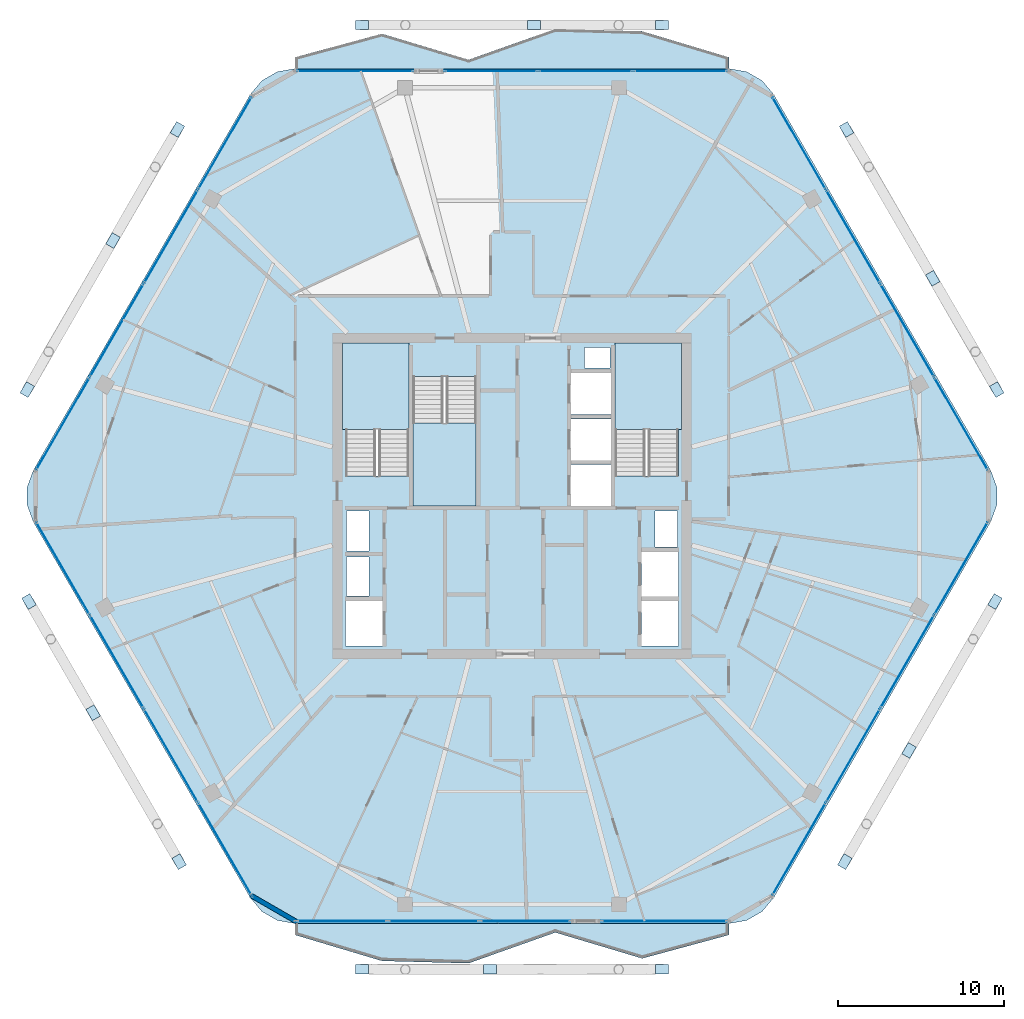
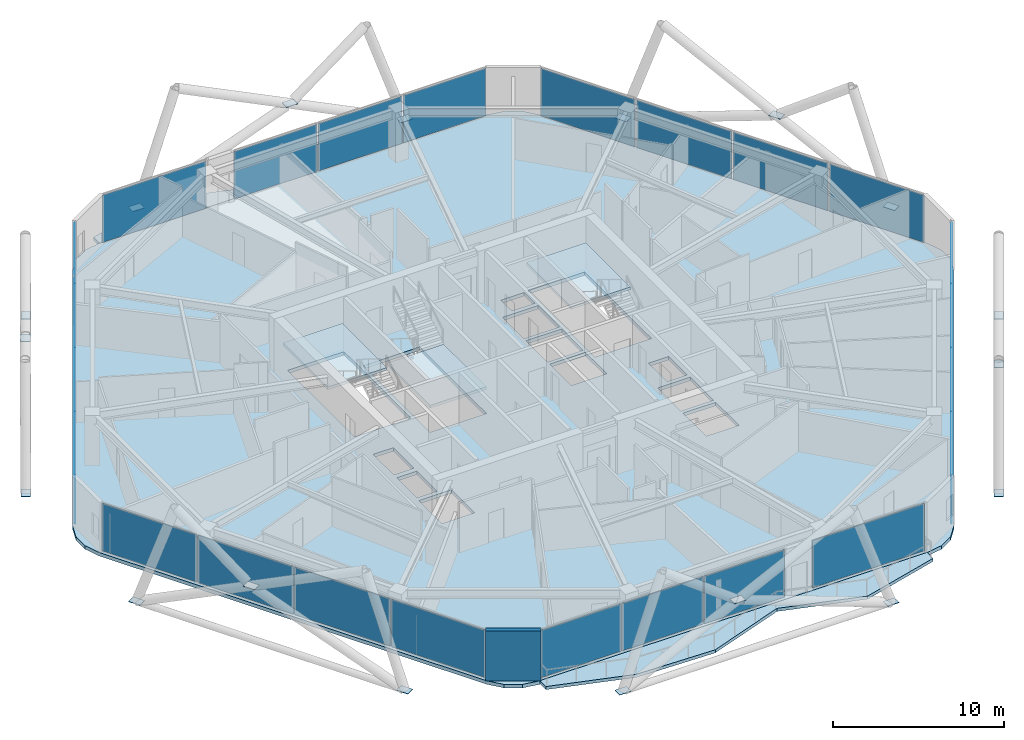
# One storey, part 19 of 26: 42 plates, 6 slabs, 1 wall, 11 elements without a shape of their own.
"""IFC4 building model written with IfcOpenShell, lengths in metres."""

from ifc_helpers import new_model, si_unit, direction, frame, frame_2d, origin, origin_2d, place, context, subcontext, project, spatial, polyline, rectangle, outline, extrude, material, layer, layer_set, type_object, element, aggregate, save


model = new_model("IFC4")

# Units and contexts
model_context = context("Model", 3, precision=1e-05, world=origin(), true_north=direction((0.0, 1.0)))
body_context = subcontext(model_context, "Body", "Model", "MODEL_VIEW")
ifc_project = project(units=[si_unit("LENGTHUNIT", "METRE"), si_unit("AREAUNIT", "SQUARE_METRE"), si_unit("VOLUMEUNIT", "CUBIC_METRE"), si_unit("PLANEANGLEUNIT", "RADIAN"), si_unit("MASSUNIT", "GRAM", prefix="KILO")], contexts=[model_context])

# Site, building, storey
site_placement = place(None, origin())
site = spatial("IfcSite", under=ifc_project, at=site_placement, CompositionType="ELEMENT")
building_placement = place(site_placement, origin())
building = spatial("IfcBuilding", under=site, at=building_placement, Name="Zuhravey Tower", CompositionType="ELEMENT")
storey_placement = place(building_placement, frame((0.0, 0.0, 231.199951171875)))
storey = spatial("IfcBuildingStorey", under=building, at=storey_placement, Name="L58", CompositionType="ELEMENT", Elevation=231.199951171875)

# Plates
ifc_material_1 = material(Name="Steel SM460", Category="steel")
ifc_layer_1 = layer(ifc_material_1, 0.031982421875)
ifc_layer_set_1 = layer_set([ifc_layer_1], Name="Steel SM460")
plate_type_1 = type_object("IfcPlateType", Name="Exoskeleton Zone 3 Node Plate ND3", PredefinedType="SHEET", material=ifc_layer_set_1)
for number, where, z_axis, x_axis, name in (
    (1, (65.1474609375, 38.402587890625, -0.47998046875), (0.0, 0.0, 1.0), (-0.5, 0.866025403784, 0.0), "L58 Exoskeleton Node Gusset L58-01"),
    (2, (56.118408203125, 54.041015625, -0.47998046875), (0.0, 0.0, 1.0), (-0.5, 0.866025403784, 0.0), "L58 Exoskeleton Node Gusset L58-02"),
    (3, (45.029052734375, 60.323486328125, -0.47998046875), (0.0, 0.0, 1.0), (-1.0, 0.0, 0.0), "L58 Exoskeleton Node Gusset L58-03"),
    (4, (26.970947265625, 60.323486328125, -0.47998046875), (0.0, 0.0, 1.0), (-1.0, 0.0, 0.0), "L58 Exoskeleton Node Gusset L58-04"),
    (5, (15.881591796875, 54.041015625, -0.47998046875), (0.0, 0.0, 1.0), (-0.5, -0.866025403784, 0.0), "L58 Exoskeleton Node Gusset L58-05"),
    (6, (6.8525390625, 38.402587890625, -0.47998046875), (0.0, 0.0, 1.0), (-0.5, -0.866025403784, 0.0), "L58 Exoskeleton Node Gusset L58-06"),
    (7, (6.95654296875, 25.657470703125, -0.47998046875), (0.0, 0.0, 1.0), (0.5, -0.866025403784, 0.0), "L58 Exoskeleton Node Gusset L58-07"),
    (8, (15.985595703125, 10.018798828125, -0.47998046875), (0.0, 0.0, 1.0), (0.5, -0.866025403784, 0.0), "L58 Exoskeleton Node Gusset L58-08"),
    (9, (26.970947265625, 3.556396484375, -0.47998046875), (0.0, 0.0, 1.0), (1.0, 0.0, 0.0), "L58 Exoskeleton Node Gusset L58-09"),
    (10, (45.029052734375, 3.556396484375, -0.47998046875), (0.0, 0.0, 1.0), (1.0, 0.0, 0.0), "L58 Exoskeleton Node Gusset L58-10"),
    (11, (56.014404296875, 10.018798828125, -0.47998046875), (0.0, 0.0, 1.0), (0.5, 0.866025403784, 0.0), "L58 Exoskeleton Node Gusset L58-11"),
    (12, (65.04345703125, 25.657470703125, -0.47998046875), (0.0, 0.0, 1.0), (0.5, 0.866025403784, 0.0), "L58 Exoskeleton Node Gusset L58-12"),
    (13, (61.30126953125, 45.09423828125, 3.31982421875), (0.0, 0.0, 1.0), (-0.5, 0.866025403784, 0.0), "L58 Face 1 Diagrid X-Crossing Plate"),
    (14, (37.310791015625, 60.323486328125, 3.31982421875), (0.0, 0.0, 1.0), (-1.0, 0.0, 0.0), "L58 Face 2 Diagrid X-Crossing Plate"),
    (15, (12.009521484375, 47.364501953125, 3.31982421875), (0.0, 0.0, 1.0), (-0.5, -0.866025403784, 0.0), "L58 Face 3 Diagrid X-Crossing Plate"),
    (16, (10.815673828125, 18.973388671875, 3.31982421875), (0.0, 0.0, 1.0), (0.5, -0.866025403784, 0.0), "L58 Face 4 Diagrid X-Crossing Plate"),
    (17, (34.689208984375, 3.54150390625, 3.31982421875), (0.0, 0.0, 1.0), (1.0, 0.0, 0.0), "L58 Face 5 Diagrid X-Crossing Plate"),
    (18, (59.87353515625, 16.703125, 3.31982421875), (0.0, 0.0, 1.0), (0.5, 0.866025403784, 0.0), "L58 Face 6 Diagrid X-Crossing Plate"),
):
    element("IfcPlate", number, at=place(storey_placement, frame(where, z_axis=z_axis, x_axis=x_axis)), inside=storey, type_object=plate_type_1, Name=name, PredefinedType="SHEET", context=body_context, shape_type="SweptSolid", body=[
        extrude(rectangle(XDim=0.780029296875, YDim=0.56005859375, at=origin_2d()), origin(), (0.0, 0.0, 1.0), 0.031982421875),
    ])

# Slabs
ifc_material_2 = material(Name="Concrete C50/60", Category="concrete")
ifc_layer_2 = layer(ifc_material_2, 0.25)
ifc_layer_set_2 = layer_set([ifc_layer_2], Name="Concrete C50/60")
slab_type_1 = type_object("IfcSlabType", Name="Residential Acoustic Slab 250", PredefinedType="FLOOR", material=ifc_layer_set_2)
slab_1_placement = place(storey_placement, frame((0.0, 0.0, -0.25)))
element("IfcSlab", 19, at=slab_1_placement, inside=storey, type_object=slab_type_1, Name="L58 Floor Slab FS25", PredefinedType="FLOOR", context=body_context, shape_type="SweptSolid", body=[
    extrude(outline(polyline([(64.78515625, 30.449951171875), (65.1533203125, 31.461669921875), (65.1533203125, 32.538330078125), (64.78515625, 33.550048828125), (51.73486328125, 56.153564453125), (51.04296875, 56.978515625), (50.110595703125, 57.5166015625), (49.05029296875, 57.70361328125), (22.94970703125, 57.70361328125), (21.889404296875, 57.5166015625), (20.95703125, 56.978515625), (20.26513671875, 56.153564453125), (7.21484375, 33.550048828125), (6.8466796875, 32.538330078125), (6.8466796875, 31.461669921875), (7.21484375, 30.449951171875), (20.26513671875, 7.846435546875), (20.95703125, 7.021484375), (21.889404296875, 6.4833984375), (22.94970703125, 6.29638671875), (49.05029296875, 6.29638671875), (50.110595703125, 6.4833984375), (51.04296875, 7.021484375), (51.73486328125, 7.846435546875), (64.78515625, 30.449951171875)]), holes=[polyline([(29.800048828125, 33.20068359375), (29.800048828125, 41.0), (26.0, 41.0), (26.0, 33.20068359375), (29.800048828125, 33.20068359375)]), polyline([(46.0, 33.20068359375), (46.0, 41.0), (42.199951171875, 41.0), (42.199951171875, 33.20068359375), (46.0, 33.20068359375)]), polyline([(30.050048828125, 39.199462890625), (30.050048828125, 31.39990234375), (33.85009765625, 31.39990234375), (33.85009765625, 39.199462890625), (30.050048828125, 39.199462890625)]), polyline([(39.550048828125, 31.39990234375), (41.949951171875, 31.39990234375), (41.949951171875, 33.89990234375), (39.550048828125, 33.89990234375), (39.550048828125, 31.39990234375)]), polyline([(39.550048828125, 34.14990234375), (41.949951171875, 34.14990234375), (41.949951171875, 36.64990234375), (39.550048828125, 36.64990234375), (39.550048828125, 34.14990234375)]), polyline([(39.550048828125, 36.89990234375), (41.949951171875, 36.89990234375), (41.949951171875, 39.39990234375), (39.550048828125, 39.39990234375), (39.550048828125, 36.89990234375)]), polyline([(26.0, 23.0), (28.199951171875, 23.0), (28.199951171875, 25.699951171875), (26.0, 25.699951171875), (26.0, 23.0)]), polyline([(43.800048828125, 23.0), (46.0, 23.0), (46.0, 25.699951171875), (43.800048828125, 25.699951171875), (43.800048828125, 23.0)]), polyline([(43.800048828125, 25.949951171875), (46.0, 25.949951171875), (46.0, 28.64990234375), (43.800048828125, 28.64990234375), (43.800048828125, 25.949951171875)]), polyline([(26.050048828125, 26.0), (27.39990234375, 26.0), (27.39990234375, 28.35009765625), (26.050048828125, 28.35009765625), (26.050048828125, 26.0)]), polyline([(26.050048828125, 28.699951171875), (27.39990234375, 28.699951171875), (27.39990234375, 31.10009765625), (26.050048828125, 31.10009765625), (26.050048828125, 28.699951171875)]), polyline([(44.60009765625, 28.949951171875), (45.949951171875, 28.949951171875), (45.949951171875, 31.10009765625), (44.60009765625, 31.10009765625), (44.60009765625, 28.949951171875)]), polyline([(40.35009765625, 39.699951171875), (41.89990234375, 39.699951171875), (41.89990234375, 40.949951171875), (40.35009765625, 40.949951171875), (40.35009765625, 39.699951171875)])]), origin(), (0.0, 0.0, 1.0), 0.25),
])
ifc_material_3 = material(Name="Concrete C40/50", Category="concrete")
ifc_layer_3 = layer(ifc_material_3, 0.219970703125)
ifc_layer_set_3 = layer_set([ifc_layer_3], Name="Concrete C40/50")
slab_type_2 = type_object("IfcSlabType", Name="Sinusoidal Residential Wave Balcony 220", PredefinedType="FLOOR", material=ifc_layer_set_3)
slab_2_placement = place(storey_placement, frame((0.0, 0.0, -0.219970703125)))
element("IfcSlab", 20, at=slab_2_placement, inside=storey, type_object=slab_type_2, Name="L58 Face 5 Wave Balcony WB22", PredefinedType="FLOOR", context=body_context, shape_type="SweptSolid", body=[
    extrude(outline(polyline([(22.95849609375, 6.311279296875), (49.04150390625, 6.311279296875), (49.04150390625, 5.611328125), (43.824951171875, 4.197509765625), (38.6083984375, 5.76025390625), (33.3916015625, 3.910400390625), (28.175048828125, 4.048828125), (22.95849609375, 5.611328125), (22.95849609375, 6.311279296875)])), origin(), (0.0, 0.0, 1.0), 0.219970703125),
])
slab_3_placement = place(storey_placement, frame((0.0, 0.0, -0.219970703125)))
element("IfcSlab", 21, at=slab_3_placement, inside=storey, type_object=slab_type_2, Name="L58 Face 2 Wave Balcony WB22", PredefinedType="FLOOR", context=body_context, shape_type="SweptSolid", body=[
    extrude(outline(polyline([(49.04150390625, 57.688720703125), (22.95849609375, 57.688720703125), (22.95849609375, 58.388671875), (28.175048828125, 59.802490234375), (33.3916015625, 58.23974609375), (38.6083984375, 60.089599609375), (43.824951171875, 59.951171875), (49.04150390625, 58.388671875), (49.04150390625, 57.688720703125)])), origin(), (0.0, 0.0, 1.0), 0.219970703125),
])

# Stair, slab
stair_type = type_object("IfcStairType", Name="Housing Storey Stair Assembly 3800", PredefinedType="HALF_TURN_STAIR", material=ifc_material_3)
stair_1_placement = place(storey_placement, origin())
stair_1 = element("IfcStair", 22, at=stair_1_placement, inside=storey, type_object=stair_type, Name="L58 Core Exit Stair ST1", PredefinedType="HALF_TURN_STAIR")
ifc_layer_4 = layer(ifc_material_3, 0.199951171875)
ifc_layer_set_4 = layer_set([ifc_layer_4], Name="Concrete C40/50")
slab_type_3 = type_object("IfcSlabType", Name="Stair Landing Slab 200", PredefinedType="LANDING", material=ifc_layer_set_4)
slab_4_placement = place(storey_placement, frame((0.0, 0.0, 1.699951171875)))
slab_4 = element("IfcSlab", 23, at=slab_4_placement, type_object=slab_type_3, Name="ST1 landing 1", PredefinedType="LANDING", context=body_context, shape_type="SweptSolid", body=[
    extrude(outline(polyline([(29.800048828125, 36.0), (29.800048828125, 41.197998046875), (25.802001953125, 41.197998046875), (25.802001953125, 36.0), (29.800048828125, 36.0)])), origin(), (0.0, 0.0, 1.0), 0.2001953125),
])
aggregate(stair_1, [slab_4])

stair_2_placement = place(storey_placement, origin())
stair_2 = element("IfcStair", 24, at=stair_2_placement, inside=storey, type_object=stair_type, Name="L58 Core Exit Stair ST2", PredefinedType="HALF_TURN_STAIR")
slab_5_placement = place(storey_placement, frame((0.0, 0.0, 1.699951171875)))
slab_5 = element("IfcSlab", 25, at=slab_5_placement, type_object=slab_type_3, Name="ST2 landing 1", PredefinedType="LANDING", context=body_context, shape_type="SweptSolid", body=[
    extrude(outline(polyline([(46.197998046875, 36.0), (46.197998046875, 41.197998046875), (42.199951171875, 41.197998046875), (42.199951171875, 36.0), (46.197998046875, 36.0)])), origin(), (0.0, 0.0, 1.0), 0.2001953125),
])
aggregate(stair_2, [slab_5])

stair_3_placement = place(storey_placement, origin())
stair_3 = element("IfcStair", 26, at=stair_3_placement, inside=storey, type_object=stair_type, Name="L58 Core Exit Stair ST3", PredefinedType="HALF_TURN_STAIR")
slab_6_placement = place(storey_placement, frame((0.0, 0.0, 1.699951171875)))
slab_6 = element("IfcSlab", 27, at=slab_6_placement, type_object=slab_type_3, Name="ST3 landing 1", PredefinedType="LANDING", context=body_context, shape_type="SweptSolid", body=[
    extrude(outline(polyline([(30.050048828125, 36.39990234375), (30.050048828125, 31.39990234375), (33.85009765625, 31.39990234375), (33.85009765625, 36.39990234375), (30.050048828125, 36.39990234375)])), origin(), (0.0, 0.0, 1.0), 0.2001953125),
])
aggregate(stair_3, [slab_6])

# Curtain wall, plates
ifc_material_4 = material(Name="Thermally broken anodised aluminium", Category="aluminium")
curtain_wall_type = type_object("IfcCurtainWallType", Name="Zone 3-4 High-Rise Curtain Wall CW4", PredefinedType="NOTDEFINED", material=ifc_material_4)
curtain_wall_1_placement = place(storey_placement, origin())
curtain_wall_1 = element("IfcCurtainWall", 28, at=curtain_wall_1_placement, inside=storey, type_object=curtain_wall_type, Name="L58 CW4 CW-L58-F6-1", PredefinedType="NOTDEFINED")
ifc_material_5 = material(Name="Triple low-E insulated vision glass", Category="glass")
ifc_layer_5 = layer(ifc_material_5, 0.0419921875)
ifc_layer_set_5 = layer_set([ifc_layer_5], Name="Triple low-E insulated vision glass")
plate_type_2 = type_object("IfcPlateType", Name="Triple Low-E Vision Panel", PredefinedType="CURTAIN_PANEL", material=ifc_layer_set_5)
plate_1_placement = place(storey_placement, frame((63.00732421875, 27.650634765625, 0.090087890625), z_axis=(0.0, 0.0, 1.0), x_axis=(-0.500000957414, -0.866024851021, 0.0)))
plate_1 = element("IfcPlate", 29, at=plate_1_placement, type_object=plate_type_2, Name="CW4 panel 1.1", PredefinedType="CURTAIN_PANEL", context=body_context, shape_type="SweptSolid", body=[
    extrude(rectangle(XDim=6.371337890625, YDim=0.0419921875, at=origin_2d()), origin(), (0.0, 0.0, 1.0), 3.3701171875),
])
plate_2_placement = place(storey_placement, frame((59.765380859375, 22.03564453125, 0.090087890625), z_axis=(0.0, 0.0, 1.0), x_axis=(-0.500000957414, -0.866024851021, 0.0)))
plate_2 = element("IfcPlate", 30, at=plate_2_placement, type_object=plate_type_2, Name="CW4 panel 2.1", PredefinedType="CURTAIN_PANEL", context=body_context, shape_type="SweptSolid", body=[
    extrude(rectangle(XDim=6.416259765625, YDim=0.0419921875, at=origin_2d()), origin(), (0.0, 0.0, 1.0), 3.3701171875),
])
plate_3_placement = place(storey_placement, frame((56.51220703125, 16.40087890625, 0.090087890625), z_axis=(0.0, 0.0, 1.0), x_axis=(-0.500000957414, -0.866024851021, 0.0)))
plate_3 = element("IfcPlate", 31, at=plate_3_placement, type_object=plate_type_2, Name="CW4 panel 3.1", PredefinedType="CURTAIN_PANEL", context=body_context, shape_type="SweptSolid", body=[
    extrude(rectangle(XDim=6.416259765625, YDim=0.0419921875, at=origin_2d()), origin(), (0.0, 0.0, 1.0), 3.3701171875),
])
plate_4_placement = place(storey_placement, frame((53.270263671875, 10.78564453125, 0.090087890625), z_axis=(0.0, 0.0, 1.0), x_axis=(-0.500000957414, -0.866024851021, 0.0)))
plate_4 = element("IfcPlate", 32, at=plate_4_placement, type_object=plate_type_2, Name="CW4 panel 4.1", PredefinedType="CURTAIN_PANEL", context=body_context, shape_type="SweptSolid", body=[
    extrude(rectangle(XDim=6.371337890625, YDim=0.0419921875, at=origin_2d()), origin(), (0.0, 0.0, 1.0), 3.3701171875),
])
aggregate(curtain_wall_1, [plate_1, plate_2, plate_3, plate_4])

# Curtain wall, plate
curtain_wall_2_placement = place(storey_placement, origin())
curtain_wall_2 = element("IfcCurtainWall", 33, at=curtain_wall_2_placement, inside=storey, type_object=curtain_wall_type, Name="L58 CW4 CW-L58-F5-1", PredefinedType="NOTDEFINED")
plate_5_placement = place(storey_placement, frame((45.151611328125, 6.436279296875, 0.090087890625), z_axis=(0.0, 0.0, 1.0), x_axis=(-1.0, 0.0, 0.0)))
plate_5 = element("IfcPlate", 34, at=plate_5_placement, type_object=plate_type_2, Name="CW4 panel 1.1", PredefinedType="CURTAIN_PANEL", context=body_context, shape_type="SweptSolid", body=[
    extrude(rectangle(XDim=7.5419921875, YDim=0.0419921875, at=origin_2d()), origin(), (0.0, 0.0, 1.0), 3.3701171875),
])
aggregate(curtain_wall_2, [plate_5])

# Curtain wall, plates
curtain_wall_3_placement = place(storey_placement, origin())
curtain_wall_3 = element("IfcCurtainWall", 35, at=curtain_wall_3_placement, inside=storey, type_object=curtain_wall_type, Name="L58 CW4 CW-L58-F5-2", PredefinedType="NOTDEFINED")
plate_6_placement = place(storey_placement, frame((36.801025390625, 6.436279296875, 0.090087890625), z_axis=(0.0, 0.0, 1.0), x_axis=(-1.0, 0.0, 0.0)))
plate_6 = element("IfcPlate", 36, at=plate_6_placement, type_object=plate_type_2, Name="CW4 panel 1.1", PredefinedType="CURTAIN_PANEL", context=body_context, shape_type="SweptSolid", body=[
    extrude(rectangle(XDim=5.3994140625, YDim=0.0419921875, at=origin_2d()), origin(), (0.0, 0.0, 1.0), 3.3701171875),
])
plate_7_placement = place(storey_placement, frame((31.2890625, 6.436279296875, 0.090087890625), z_axis=(0.0, 0.0, 1.0), x_axis=(-1.0, 0.0, 0.0)))
plate_7 = element("IfcPlate", 37, at=plate_7_placement, type_object=plate_type_2, Name="CW4 panel 2.1", PredefinedType="CURTAIN_PANEL", context=body_context, shape_type="SweptSolid", body=[
    extrude(rectangle(XDim=5.444580078125, YDim=0.0419921875, at=origin_2d()), origin(), (0.0, 0.0, 1.0), 3.3701171875),
])
plate_8_placement = place(storey_placement, frame((25.777099609375, 6.436279296875, 0.090087890625), z_axis=(0.0, 0.0, 1.0), x_axis=(-1.0, 0.0, 0.0)))
plate_8 = element("IfcPlate", 38, at=plate_8_placement, type_object=plate_type_2, Name="CW4 panel 3.1", PredefinedType="CURTAIN_PANEL", context=body_context, shape_type="SweptSolid", body=[
    extrude(rectangle(XDim=5.3994140625, YDim=0.0419921875, at=origin_2d()), origin(), (0.0, 0.0, 1.0), 3.3701171875),
])
aggregate(curtain_wall_3, [plate_6, plate_7, plate_8])

curtain_wall_4_placement = place(storey_placement, origin())
curtain_wall_4 = element("IfcCurtainWall", 39, at=curtain_wall_4_placement, inside=storey, type_object=curtain_wall_type, Name="L58 CW4 CW-L58-F4-1", PredefinedType="NOTDEFINED")
plate_9_placement = place(storey_placement, frame((18.729736328125, 10.78564453125, 0.090087890625), z_axis=(0.0, 0.0, 1.0), x_axis=(-0.500000957414, 0.866024851021, 0.0)))
plate_9 = element("IfcPlate", 40, at=plate_9_placement, type_object=plate_type_2, Name="CW4 panel 1.1", PredefinedType="CURTAIN_PANEL", context=body_context, shape_type="SweptSolid", body=[
    extrude(rectangle(XDim=6.371337890625, YDim=0.0419921875, at=origin_2d()), origin(), (0.0, 0.0, 1.0), 3.3701171875),
])
plate_10_placement = place(storey_placement, frame((15.48779296875, 16.40087890625, 0.090087890625), z_axis=(0.0, 0.0, 1.0), x_axis=(-0.500000957414, 0.866024851021, 0.0)))
plate_10 = element("IfcPlate", 41, at=plate_10_placement, type_object=plate_type_2, Name="CW4 panel 2.1", PredefinedType="CURTAIN_PANEL", context=body_context, shape_type="SweptSolid", body=[
    extrude(rectangle(XDim=6.416259765625, YDim=0.0419921875, at=origin_2d()), origin(), (0.0, 0.0, 1.0), 3.3701171875),
])
plate_11_placement = place(storey_placement, frame((12.234619140625, 22.03564453125, 0.090087890625), z_axis=(0.0, 0.0, 1.0), x_axis=(-0.500000957414, 0.866024851021, 0.0)))
plate_11 = element("IfcPlate", 42, at=plate_11_placement, type_object=plate_type_2, Name="CW4 panel 3.1", PredefinedType="CURTAIN_PANEL", context=body_context, shape_type="SweptSolid", body=[
    extrude(rectangle(XDim=6.416259765625, YDim=0.0419921875, at=origin_2d()), origin(), (0.0, 0.0, 1.0), 3.3701171875),
])
plate_12_placement = place(storey_placement, frame((8.99267578125, 27.650634765625, 0.090087890625), z_axis=(0.0, 0.0, 1.0), x_axis=(-0.500000957414, 0.866024851021, 0.0)))
plate_12 = element("IfcPlate", 43, at=plate_12_placement, type_object=plate_type_2, Name="CW4 panel 4.1", PredefinedType="CURTAIN_PANEL", context=body_context, shape_type="SweptSolid", body=[
    extrude(rectangle(XDim=6.371337890625, YDim=0.0419921875, at=origin_2d()), origin(), (0.0, 0.0, 1.0), 3.3701171875),
])
aggregate(curtain_wall_4, [plate_9, plate_10, plate_11, plate_12])

curtain_wall_5_placement = place(storey_placement, origin())
curtain_wall_5 = element("IfcCurtainWall", 44, at=curtain_wall_5_placement, inside=storey, type_object=curtain_wall_type, Name="L58 CW4 CW-L58-F3-1", PredefinedType="NOTDEFINED")
plate_13_placement = place(storey_placement, frame((8.99267578125, 36.349365234375, 0.090087890625), z_axis=(0.0, 0.0, 1.0), x_axis=(0.500000957414, 0.866024851021, 0.0)))
plate_13 = element("IfcPlate", 45, at=plate_13_placement, type_object=plate_type_2, Name="CW4 panel 1.1", PredefinedType="CURTAIN_PANEL", context=body_context, shape_type="SweptSolid", body=[
    extrude(rectangle(XDim=6.371337890625, YDim=0.0419921875, at=origin_2d()), origin(), (0.0, 0.0, 1.0), 3.3701171875),
])
plate_14_placement = place(storey_placement, frame((12.234619140625, 41.96435546875, 0.090087890625), z_axis=(0.0, 0.0, 1.0), x_axis=(0.500000957414, 0.866024851021, 0.0)))
plate_14 = element("IfcPlate", 46, at=plate_14_placement, type_object=plate_type_2, Name="CW4 panel 2.1", PredefinedType="CURTAIN_PANEL", context=body_context, shape_type="SweptSolid", body=[
    extrude(rectangle(XDim=6.416259765625, YDim=0.0419921875, at=origin_2d()), origin(), (0.0, 0.0, 1.0), 3.3701171875),
])
plate_15_placement = place(storey_placement, frame((15.48779296875, 47.59912109375, 0.090087890625), z_axis=(0.0, 0.0, 1.0), x_axis=(0.500000957414, 0.866024851021, 0.0)))
plate_15 = element("IfcPlate", 47, at=plate_15_placement, type_object=plate_type_2, Name="CW4 panel 3.1", PredefinedType="CURTAIN_PANEL", context=body_context, shape_type="SweptSolid", body=[
    extrude(rectangle(XDim=6.416259765625, YDim=0.0419921875, at=origin_2d()), origin(), (0.0, 0.0, 1.0), 3.3701171875),
])
plate_16_placement = place(storey_placement, frame((18.729736328125, 53.21435546875, 0.090087890625), z_axis=(0.0, 0.0, 1.0), x_axis=(0.500000957414, 0.866024851021, 0.0)))
plate_16 = element("IfcPlate", 48, at=plate_16_placement, type_object=plate_type_2, Name="CW4 panel 4.1", PredefinedType="CURTAIN_PANEL", context=body_context, shape_type="SweptSolid", body=[
    extrude(rectangle(XDim=6.371337890625, YDim=0.0419921875, at=origin_2d()), origin(), (0.0, 0.0, 1.0), 3.3701171875),
])
aggregate(curtain_wall_5, [plate_13, plate_14, plate_15, plate_16])

# Curtain wall, plate
curtain_wall_6_placement = place(storey_placement, origin())
curtain_wall_6 = element("IfcCurtainWall", 49, at=curtain_wall_6_placement, inside=storey, type_object=curtain_wall_type, Name="L58 CW4 CW-L58-F2-1", PredefinedType="NOTDEFINED")
plate_17_placement = place(storey_placement, frame((26.568115234375, 57.563720703125, 0.090087890625), z_axis=(0.0, 0.0, 1.0), x_axis=(1.0, 0.0, 0.0)))
plate_17 = element("IfcPlate", 50, at=plate_17_placement, type_object=plate_type_2, Name="CW4 panel 1.1", PredefinedType="CURTAIN_PANEL", context=body_context, shape_type="SweptSolid", body=[
    extrude(rectangle(XDim=6.981689453125, YDim=0.0419921875, at=origin_2d()), origin(), (0.0, 0.0, 1.0), 3.3701171875),
])
aggregate(curtain_wall_6, [plate_17])

# Curtain wall, plates
curtain_wall_7_placement = place(storey_placement, origin())
curtain_wall_7 = element("IfcCurtainWall", 51, at=curtain_wall_7_placement, inside=storey, type_object=curtain_wall_type, Name="L58 CW4 CW-L58-F2-2", PredefinedType="NOTDEFINED")
plate_18_placement = place(storey_placement, frame((34.732177734375, 57.563720703125, 0.090087890625), z_axis=(0.0, 0.0, 1.0), x_axis=(1.0, 0.0, 0.0)))
plate_18 = element("IfcPlate", 52, at=plate_18_placement, type_object=plate_type_2, Name="CW4 panel 1.1", PredefinedType="CURTAIN_PANEL", context=body_context, shape_type="SweptSolid", body=[
    extrude(rectangle(XDim=5.586181640625, YDim=0.0419921875, at=origin_2d()), origin(), (0.0, 0.0, 1.0), 3.3701171875),
])
plate_19_placement = place(storey_placement, frame((40.430908203125, 57.563720703125, 0.090087890625), z_axis=(0.0, 0.0, 1.0), x_axis=(1.0, 0.0, 0.0)))
plate_19 = element("IfcPlate", 53, at=plate_19_placement, type_object=plate_type_2, Name="CW4 panel 2.1", PredefinedType="CURTAIN_PANEL", context=body_context, shape_type="SweptSolid", body=[
    extrude(rectangle(XDim=5.631103515625, YDim=0.0419921875, at=origin_2d()), origin(), (0.0, 0.0, 1.0), 3.3701171875),
])
plate_20_placement = place(storey_placement, frame((46.129638671875, 57.563720703125, 0.090087890625), z_axis=(0.0, 0.0, 1.0), x_axis=(1.0, 0.0, 0.0)))
plate_20 = element("IfcPlate", 54, at=plate_20_placement, type_object=plate_type_2, Name="CW4 panel 3.1", PredefinedType="CURTAIN_PANEL", context=body_context, shape_type="SweptSolid", body=[
    extrude(rectangle(XDim=5.586181640625, YDim=0.0419921875, at=origin_2d()), origin(), (0.0, 0.0, 1.0), 3.3701171875),
])
aggregate(curtain_wall_7, [plate_18, plate_19, plate_20])

curtain_wall_8_placement = place(storey_placement, origin())
curtain_wall_8 = element("IfcCurtainWall", 55, at=curtain_wall_8_placement, inside=storey, type_object=curtain_wall_type, Name="L58 CW4 CW-L58-F1-1", PredefinedType="NOTDEFINED")
plate_21_placement = place(storey_placement, frame((53.270263671875, 53.21435546875, 0.090087890625), z_axis=(0.0, 0.0, 1.0), x_axis=(0.500000957414, -0.866024851021, 0.0)))
plate_21 = element("IfcPlate", 56, at=plate_21_placement, type_object=plate_type_2, Name="CW4 panel 1.1", PredefinedType="CURTAIN_PANEL", context=body_context, shape_type="SweptSolid", body=[
    extrude(rectangle(XDim=6.371337890625, YDim=0.0419921875, at=origin_2d()), origin(), (0.0, 0.0, 1.0), 3.3701171875),
])
plate_22_placement = place(storey_placement, frame((56.51220703125, 47.59912109375, 0.090087890625), z_axis=(0.0, 0.0, 1.0), x_axis=(0.500000957414, -0.866024851021, 0.0)))
plate_22 = element("IfcPlate", 57, at=plate_22_placement, type_object=plate_type_2, Name="CW4 panel 2.1", PredefinedType="CURTAIN_PANEL", context=body_context, shape_type="SweptSolid", body=[
    extrude(rectangle(XDim=6.416259765625, YDim=0.0419921875, at=origin_2d()), origin(), (0.0, 0.0, 1.0), 3.3701171875),
])
plate_23_placement = place(storey_placement, frame((59.765380859375, 41.96435546875, 0.090087890625), z_axis=(0.0, 0.0, 1.0), x_axis=(0.500000957414, -0.866024851021, 0.0)))
plate_23 = element("IfcPlate", 58, at=plate_23_placement, type_object=plate_type_2, Name="CW4 panel 3.1", PredefinedType="CURTAIN_PANEL", context=body_context, shape_type="SweptSolid", body=[
    extrude(rectangle(XDim=6.416259765625, YDim=0.0419921875, at=origin_2d()), origin(), (0.0, 0.0, 1.0), 3.3701171875),
])
plate_24_placement = place(storey_placement, frame((63.00732421875, 36.349365234375, 0.090087890625), z_axis=(0.0, 0.0, 1.0), x_axis=(0.500000957414, -0.866024851021, 0.0)))
plate_24 = element("IfcPlate", 59, at=plate_24_placement, type_object=plate_type_2, Name="CW4 panel 4.1", PredefinedType="CURTAIN_PANEL", context=body_context, shape_type="SweptSolid", body=[
    extrude(rectangle(XDim=6.371337890625, YDim=0.0419921875, at=origin_2d()), origin(), (0.0, 0.0, 1.0), 3.3701171875),
])
aggregate(curtain_wall_8, [plate_21, plate_22, plate_23, plate_24])

# Wall
ifc_material_6 = material(Name="Precast concrete C40/50", Category="concrete")
ifc_layer_6 = layer(ifc_material_6, 0.280029296875)
ifc_layer_set_6 = layer_set([ifc_layer_6], Name="Precast concrete C40/50")
wall_type = type_object("IfcWallType", Name="Crown Architectural Wall 280", PredefinedType="SOLIDWALL", material=ifc_layer_set_6)
wall_placement = place(storey_placement, frame((23.069580078125, 6.388916015625, 0.0), z_axis=(0.0, 0.0, 1.0), x_axis=(-0.866028773314, 0.499994163758, 0.0)))
element("IfcWall", 60, at=wall_placement, inside=storey, type_object=wall_type, Name="L58 Rounded Corner Closure Wall EW28-04", PredefinedType="SOLIDWALL", context=body_context, shape_type="SweptSolid", body=[
    extrude(rectangle(XDim=3.21484375, YDim=0.280029296875, at=frame_2d((1.607421875, 0.0))), origin(), (0.0, 0.0, 1.0), 3.550048828125),
])

save(model, "model.ifc")
